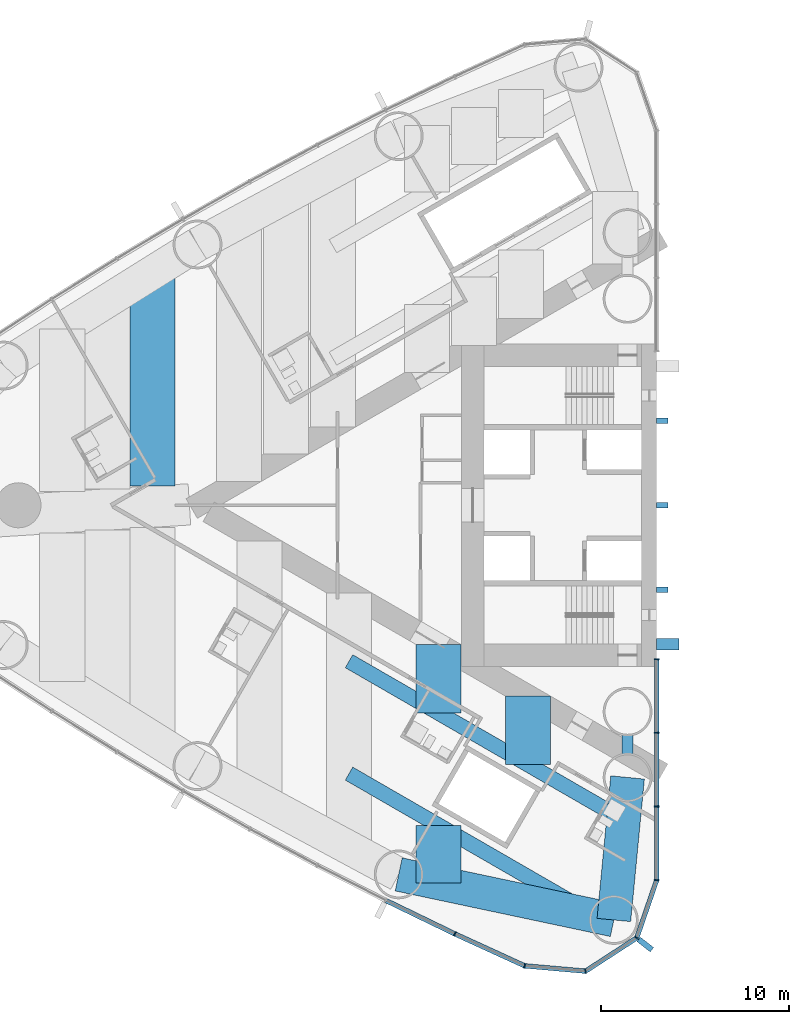
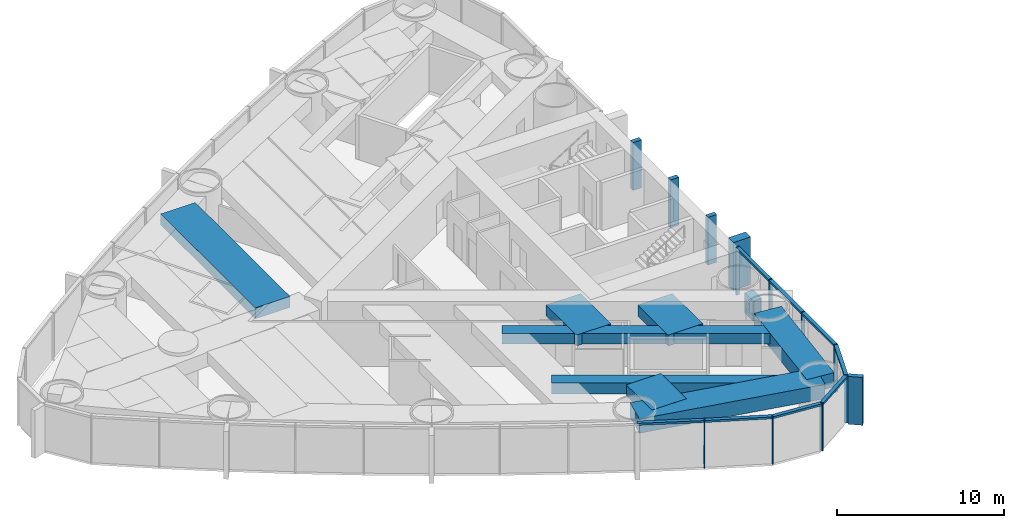
# One storey, part 3 of 18: 21 members, 9 beams, 1 element without a shape of its own.
"""IFC4 building model written with IfcOpenShell, lengths in metres."""

from ifc_helpers import new_model, si_unit, direction, frame, origin, origin_2d, place, context, subcontext, project, spatial, rectangle, hollow_rectangle, extrude, material, material_profile, profile_set, type_object, element, aggregate, save


model = new_model("IFC4")

# Units and contexts
model_context = context("Model", 3, precision=1e-05, world=origin(), true_north=direction((0.0, 1.0)))
body_context = subcontext(model_context, "Body", "Model", "MODEL_VIEW")
ifc_project = project(units=[si_unit("LENGTHUNIT", "METRE"), si_unit("AREAUNIT", "SQUARE_METRE"), si_unit("VOLUMEUNIT", "CUBIC_METRE"), si_unit("PLANEANGLEUNIT", "RADIAN"), si_unit("MASSUNIT", "GRAM", prefix="KILO")], contexts=[model_context])

# Site, building, storey
site_placement = place(None, origin())
site = spatial("IfcSite", under=ifc_project, at=site_placement, CompositionType="ELEMENT")
building_placement = place(site_placement, origin())
building = spatial("IfcBuilding", under=site, at=building_placement, Name="Lancet Gate Hotel", CompositionType="ELEMENT")
storey_placement = place(building_placement, frame((0.0, 0.0, 129.10009765625)))
storey = spatial("IfcBuildingStorey", under=building, at=storey_placement, Name="L34", CompositionType="ELEMENT", Elevation=129.10009765625)

# Curtain wall, members
ifc_material_1 = material(Name="Aluminium curtain wall", Category="aluminium")
curtain_wall_type = type_object("IfcCurtainWallType", Name="Tower unitised curtain wall", PredefinedType="USERDEFINED", material=ifc_material_1)
curtain_wall_placement = place(storey_placement, origin())
curtain_wall = element("IfcCurtainWall", 1, at=curtain_wall_placement, inside=storey, type_object=curtain_wall_type, Name="T1 L34 curtain wall 1", ObjectType="UNITISED CURTAIN WALL", PredefinedType="USERDEFINED")
ifc_material_2 = material(Name="Aluminium mullion", Category="aluminium")
ifc_material_profile_1 = material_profile(ifc_material_2, rectangle(XDim=0.06494140625, YDim=0.25, at=origin_2d()), Name="MULLION 65x250")
ifc_profile_set_1 = profile_set([ifc_material_profile_1], Name="Aluminium mullion")
member_type_1 = type_object("IfcMemberType", Name="Aluminium mullion 65x250", PredefinedType="MULLION", material=ifc_profile_set_1)
member_1_placement = place(storey_placement, frame((-38.25244140625, -22.83642578125, 0.0), z_axis=(0.0, 0.0, 1.0), x_axis=(0.904719609771, -0.426007544178, 0.0)))
member_1 = element("IfcMember", 2, at=member_1_placement, type_object=member_type_1, Name="T1 L34 curtain wall 1 mullion 29", PredefinedType="MULLION", context=body_context, shape_type="SweptSolid", body=[
    extrude(rectangle(XDim=0.06494140625, YDim=0.25, at=origin_2d()), origin(), (0.0, 0.0, 1.0), 3.5),
])
member_2_placement = place(storey_placement, frame((-34.5322265625, -24.53955078125, 0.0), z_axis=(0.0, 0.0, 1.0), x_axis=(0.961653318232, -0.27426792655, 0.0)))
member_2 = element("IfcMember", 3, at=member_2_placement, type_object=member_type_1, Name="T1 L34 curtain wall 1 mullion 30", PredefinedType="MULLION", context=body_context, shape_type="SweptSolid", body=[
    extrude(rectangle(XDim=0.06494140625, YDim=0.25, at=origin_2d()), origin(), (0.0, 0.0, 1.0), 3.5),
])
member_3_placement = place(storey_placement, frame((-31.289306640625, -24.822265625, 0.0), z_axis=(0.0, 0.0, 1.0), x_axis=(0.970242142288, 0.242136707934, 0.0)))
member_3 = element("IfcMember", 4, at=member_3_placement, type_object=member_type_1, Name="T1 L34 curtain wall 1 mullion 31", PredefinedType="MULLION", context=body_context, shape_type="SweptSolid", body=[
    extrude(rectangle(XDim=0.06494140625, YDim=0.25, at=origin_2d()), origin(), (0.0, 0.0, 1.0), 3.5),
])
member_4_placement = place(storey_placement, frame((-28.5595703125, -23.049072265625, 0.0), z_axis=(0.0, 0.0, 1.0), x_axis=(0.615574240878, 0.788078900851, 0.0)))
member_4 = element("IfcMember", 5, at=member_4_placement, type_object=member_type_1, Name="T1 L34 curtain wall 1 mullion 32", PredefinedType="MULLION", context=body_context, shape_type="SweptSolid", body=[
    extrude(rectangle(XDim=0.06494140625, YDim=0.25, at=origin_2d()), origin(), (0.0, 0.0, 1.0), 3.5),
])
member_5_placement = place(storey_placement, frame((-27.5, -19.97119140625, 0.0), z_axis=(0.0, 0.0, 1.0), x_axis=(0.149634446211, 0.988741388082, 0.0)))
member_5 = element("IfcMember", 6, at=member_5_placement, type_object=member_type_1, Name="T1 L34 curtain wall 1 mullion 33", PredefinedType="MULLION", context=body_context, shape_type="SweptSolid", body=[
    extrude(rectangle(XDim=0.06494140625, YDim=0.25, at=origin_2d()), origin(), (0.0, 0.0, 1.0), 3.5),
])
member_6_placement = place(storey_placement, frame((-27.5, -16.04736328125, 0.0), z_axis=(0.0, 0.0, 1.0), x_axis=(0.0, 1.0, 0.0)))
member_6 = element("IfcMember", 7, at=member_6_placement, type_object=member_type_1, Name="T1 L34 curtain wall 1 mullion 34", PredefinedType="MULLION", context=body_context, shape_type="SweptSolid", body=[
    extrude(rectangle(XDim=0.06494140625, YDim=0.25, at=origin_2d()), origin(), (0.0, 0.0, 1.0), 3.5),
])
member_7_placement = place(storey_placement, frame((-27.5, -12.123779296875, 0.0), z_axis=(0.0, 0.0, 1.0), x_axis=(0.0, 1.0, 0.0)))
member_7 = element("IfcMember", 8, at=member_7_placement, type_object=member_type_1, Name="T1 L34 curtain wall 1 mullion 35", PredefinedType="MULLION", context=body_context, shape_type="SweptSolid", body=[
    extrude(rectangle(XDim=0.06494140625, YDim=0.25, at=origin_2d()), origin(), (0.0, 0.0, 1.0), 3.5),
])
member_8_placement = place(storey_placement, frame((-27.5, -8.199951171875, 0.0), z_axis=(0.0, 0.0, 1.0), x_axis=(0.0, 1.0, 0.0)))
member_8 = element("IfcMember", 9, at=member_8_placement, type_object=member_type_1, Name="T1 L34 curtain wall 1 mullion 36", PredefinedType="MULLION", context=body_context, shape_type="SweptSolid", body=[
    extrude(rectangle(XDim=0.06494140625, YDim=0.25, at=origin_2d()), origin(), (0.0, 0.0, 1.0), 3.5),
])
ifc_material_3 = material(Name="Aluminium transom", Category="aluminium")
ifc_material_profile_2 = material_profile(ifc_material_3, rectangle(XDim=0.25, YDim=0.14990234375, at=origin_2d()), Name="TRANSOM 250x150")
ifc_profile_set_2 = profile_set([ifc_material_profile_2], Name="Aluminium transom")
member_type_2 = type_object("IfcMemberType", Name="Aluminium transom 250x150", PredefinedType="USERDEFINED", material=ifc_profile_set_2)
member_9_placement = place(storey_placement, frame((-41.906005859375, -21.067626953125, 3.4248046875), z_axis=(0.900065677074, -0.435754262117, 0.0), x_axis=(0.435754262117, 0.900065677074, 0.0)))
member_9 = element("IfcMember", 10, at=member_9_placement, type_object=member_type_2, Name="T1 L34 curtain wall 1 transom 28", ObjectType="TRANSOM", PredefinedType="USERDEFINED", context=body_context, shape_type="SweptSolid", body=[
    extrude(rectangle(XDim=0.25, YDim=0.14990234375, at=origin_2d()), origin(), (0.0, 0.0, 1.0), 4.026611328125),
])
member_10_placement = place(storey_placement, frame((-38.222900390625, -22.849853515625, 3.4248046875), z_axis=(0.909252284196, -0.416245460857, 0.0), x_axis=(0.416245460857, 0.909252284196, 0.0)))
member_10 = element("IfcMember", 11, at=member_10_placement, type_object=member_type_2, Name="T1 L34 curtain wall 1 transom 29", ObjectType="TRANSOM", PredefinedType="USERDEFINED", context=body_context, shape_type="SweptSolid", body=[
    extrude(rectangle(XDim=0.25, YDim=0.14990234375, at=origin_2d()), origin(), (0.0, 0.0, 1.0), 4.026611328125),
])
member_11_placement = place(storey_placement, frame((-34.499755859375, -24.542236328125, 3.4248046875), z_axis=(0.996213545522, -0.086940046686, 0.0), x_axis=(0.086940046686, 0.996213545522, 0.0)))
member_11 = element("IfcMember", 12, at=member_11_placement, type_object=member_type_2, Name="T1 L34 curtain wall 1 transom 30", ObjectType="TRANSOM", PredefinedType="USERDEFINED", context=body_context, shape_type="SweptSolid", body=[
    extrude(rectangle(XDim=0.25, YDim=0.14990234375, at=origin_2d()), origin(), (0.0, 0.0, 1.0), 3.18994140625),
])
member_12_placement = place(storey_placement, frame((-31.261962890625, -24.8046875, 3.4248046875), z_axis=(0.838550259452, 0.544824249068, 0.0), x_axis=(-0.544824249068, 0.838550259452, 0.0)))
member_12 = element("IfcMember", 13, at=member_12_placement, type_object=member_type_2, Name="T1 L34 curtain wall 1 transom 31", ObjectType="TRANSOM", PredefinedType="USERDEFINED", context=body_context, shape_type="SweptSolid", body=[
    extrude(rectangle(XDim=0.25, YDim=0.14990234375, at=origin_2d()), origin(), (0.0, 0.0, 1.0), 3.190185546875),
])
member_13_placement = place(storey_placement, frame((-28.549072265625, -23.018310546875, 3.4248046875), z_axis=(0.32553312754, 0.945530635609, 0.0), x_axis=(-0.945530635609, 0.32553312754, 0.0)))
member_13 = element("IfcMember", 14, at=member_13_placement, type_object=member_type_2, Name="T1 L34 curtain wall 1 transom 32", ObjectType="TRANSOM", PredefinedType="USERDEFINED", context=body_context, shape_type="SweptSolid", body=[
    extrude(rectangle(XDim=0.25, YDim=0.14990234375, at=origin_2d()), origin(), (0.0, 0.0, 1.0), 3.1904296875),
])
member_14_placement = place(storey_placement, frame((-27.5, -19.9384765625, 3.4248046875), z_axis=(0.0, 1.0, 0.0), x_axis=(-1.0, 0.0, 0.0)))
member_14 = element("IfcMember", 15, at=member_14_placement, type_object=member_type_2, Name="T1 L34 curtain wall 1 transom 33", ObjectType="TRANSOM", PredefinedType="USERDEFINED", context=body_context, shape_type="SweptSolid", body=[
    extrude(rectangle(XDim=0.25, YDim=0.14990234375, at=origin_2d()), origin(), (0.0, 0.0, 1.0), 3.858642578125),
])
member_15_placement = place(storey_placement, frame((-27.5, -16.014892578125, 3.4248046875), z_axis=(0.0, 1.0, 0.0), x_axis=(-1.0, 0.0, 0.0)))
member_15 = element("IfcMember", 16, at=member_15_placement, type_object=member_type_2, Name="T1 L34 curtain wall 1 transom 34", ObjectType="TRANSOM", PredefinedType="USERDEFINED", context=body_context, shape_type="SweptSolid", body=[
    extrude(rectangle(XDim=0.25, YDim=0.14990234375, at=origin_2d()), origin(), (0.0, 0.0, 1.0), 3.858642578125),
])
member_16_placement = place(storey_placement, frame((-27.5, -12.09130859375, 3.4248046875), z_axis=(0.0, 1.0, 0.0), x_axis=(-1.0, 0.0, 0.0)))
member_16 = element("IfcMember", 17, at=member_16_placement, type_object=member_type_2, Name="T1 L34 curtain wall 1 transom 35", ObjectType="TRANSOM", PredefinedType="USERDEFINED", context=body_context, shape_type="SweptSolid", body=[
    extrude(rectangle(XDim=0.25, YDim=0.14990234375, at=origin_2d()), origin(), (0.0, 0.0, 1.0), 3.85888671875),
])

# Beams
ifc_material_4 = material(Name="Concrete C50/60", Category="concrete")
ifc_material_profile_3 = material_profile(ifc_material_4, rectangle(XDim=1.800048828125, YDim=1.050048828125, at=origin_2d()), Name="RC 1800x1050")
ifc_profile_set_3 = profile_set([ifc_material_profile_3], Name="Concrete C50/60")
beam_type_1 = type_object("IfcBeamType", Name="Edge beam RC 1800x1050", PredefinedType="SPANDREL", material=ifc_profile_set_3)
beam_1_placement = place(storey_placement, frame((-41.244873046875, -19.665771484375, 2.724853515625), z_axis=(0.978282156247, -0.207277646573, 0.0), x_axis=(0.207277646573, 0.978282156247, 0.0)))
element("IfcBeam", 18, at=beam_1_placement, inside=storey, type_object=beam_type_1, Name="T1 edge beam EB1 L34", PredefinedType="SPANDREL", context=body_context, shape_type="SweptSolid", body=[
    extrude(rectangle(XDim=1.800048828125, YDim=1.050048828125, at=origin_2d()), origin(), (0.0, 0.0, 1.0), 11.71826171875),
])
beam_2_placement = place(storey_placement, frame((-29.050048828125, -14.5, 2.724853515625), z_axis=(-0.095802643786, -0.995400348324, 0.0), x_axis=(0.995400348324, -0.095802643786, 0.0)))
element("IfcBeam", 19, at=beam_2_placement, inside=storey, type_object=beam_type_1, Name="T1 edge beam EB1 L34", PredefinedType="SPANDREL", context=body_context, shape_type="SweptSolid", body=[
    extrude(rectangle(XDim=1.800048828125, YDim=1.050048828125, at=origin_2d()), origin(), (0.0, 0.0, 1.0), 7.6298828125),
])

# Member
ifc_material_5 = material(Name="Concrete C60/75", Category="concrete")
ifc_material_profile_4 = material_profile(ifc_material_5, rectangle(XDim=0.60009765625, YDim=1.199951171875, at=origin_2d()), Name="FIN 600x1200")
ifc_profile_set_4 = profile_set([ifc_material_profile_4], Name="Concrete C60/75")
member_type_3 = type_object("IfcMemberType", Name="Exposed concrete buttress pilaster 600x1200", PredefinedType="USERDEFINED", material=ifc_profile_set_4)
member_17_placement = place(storey_placement, frame((-26.909912109375, -7.39990234375, 0.0), z_axis=(0.0, 0.0, 1.0), x_axis=(0.0, 1.0, 0.0)))
element("IfcMember", 20, at=member_17_placement, inside=storey, type_object=member_type_3, Name="T1 buttress pilaster N L34", ObjectType="FIN", PredefinedType="USERDEFINED", context=body_context, shape_type="SweptSolid", body=[
    extrude(rectangle(XDim=0.60009765625, YDim=1.199951171875, at=origin_2d()), origin(), (0.0, 0.0, 1.0), 3.5),
])

ifc_material_6 = material(Name="Precast concrete C50/60", Category="concrete")
ifc_material_profile_5 = material_profile(ifc_material_6, rectangle(XDim=0.300048828125, YDim=0.89990234375, at=origin_2d()), Name="FIN 300x900")
ifc_profile_set_5 = profile_set([ifc_material_profile_5], Name="Precast concrete C50/60")
member_type_4 = type_object("IfcMemberType", Name="Exposed concrete fin 300x900", PredefinedType="USERDEFINED", material=ifc_profile_set_5)
member_18_placement = place(storey_placement, frame((-28.1064453125, -23.40283203125, 0.0), z_axis=(0.0, 0.0, 1.0), x_axis=(0.615574240878, 0.788078900851, 0.0)))
member_18 = element("IfcMember", 21, at=member_18_placement, type_object=member_type_4, Name="T1 L34 curtain wall 1 fin 32", ObjectType="FIN", PredefinedType="USERDEFINED", context=body_context, shape_type="SweptSolid", body=[
    extrude(rectangle(XDim=0.300048828125, YDim=0.89990234375, at=origin_2d()), origin(), (0.0, 0.0, 1.0), 3.5),
])

aggregate(curtain_wall, [member_1, member_2, member_3, member_4, member_18, member_5, member_6, member_7, member_8, member_9, member_10, member_11, member_12, member_13, member_14, member_15, member_16])

# Members
ifc_material_7 = material(Name="Concrete C60/75", Category="concrete")
ifc_material_profile_6 = material_profile(ifc_material_7, rectangle(XDim=0.300048828125, YDim=0.60009765625, at=origin_2d()), Name="FIN 300x600")
ifc_profile_set_6 = profile_set([ifc_material_profile_6], Name="Concrete C60/75")
member_type_5 = type_object("IfcMemberType", Name="Exposed concrete rib 300x600", PredefinedType="USERDEFINED", material=ifc_profile_set_6)
for number, where, z_axis, x_axis, name in (
    (22, (-27.2099609375, 4.5, 0.0), (0.0, 0.0, 1.0), (0.0, 1.0, 0.0), "T1 core rib 1 L34"),
    (23, (-27.2099609375, 0.0, 0.0), (0.0, 0.0, 1.0), (0.0, 1.0, 0.0), "T1 core rib 2 L34"),
    (24, (-27.2099609375, -4.5, 0.0), (0.0, 0.0, 1.0), (0.0, 1.0, 0.0), "T1 core rib 3 L34"),
):
    element("IfcMember", number, at=place(storey_placement, frame(where, z_axis=z_axis, x_axis=x_axis)), inside=storey, type_object=member_type_5, Name=name, ObjectType="FIN", PredefinedType="USERDEFINED", context=body_context, shape_type="SweptSolid", body=[
        extrude(rectangle(XDim=0.300048828125, YDim=0.60009765625, at=origin_2d()), origin(), (0.0, 0.0, 1.0), 3.5),
    ])

# Beams
ifc_material_8 = material(Name="Concrete C50/60", Category="concrete")
ifc_material_profile_7 = material_profile(ifc_material_8, rectangle(XDim=2.39990234375, YDim=0.800048828125, at=origin_2d()), Name="RC 2400x800")
ifc_profile_set_7 = profile_set([ifc_material_profile_7], Name="Concrete C50/60")
beam_type_2 = type_object("IfcBeamType", Name="Floor beam RC 2400x800", PredefinedType="BEAM", material=ifc_profile_set_7)
beam_3_placement = place(storey_placement, frame((-54.3681640625, 12.392333984375, 2.849853515625), z_axis=(0.0, -1.0, 0.0), x_axis=(1.0, 0.0, 0.0)))
element("IfcBeam", 25, at=beam_3_placement, inside=storey, type_object=beam_type_2, Name="T1 floor beam F13S L34", PredefinedType="BEAM", context=body_context, shape_type="SweptSolid", body=[
    extrude(rectangle(XDim=2.39990234375, YDim=0.800048828125, at=origin_2d()), origin(), (0.0, 0.0, 1.0), 11.364990234375),
])
beam_4_placement = place(storey_placement, frame((-34.353515625, -10.169921875, 2.849853515625), z_axis=(0.0, -1.0, 0.0), x_axis=(1.0, 0.0, 0.0)))
element("IfcBeam", 26, at=beam_4_placement, inside=storey, type_object=beam_type_2, Name="T1 floor beam F03NA L34", PredefinedType="BEAM", context=body_context, shape_type="SweptSolid", body=[
    extrude(rectangle(XDim=2.39990234375, YDim=0.800048828125, at=origin_2d()), origin(), (0.0, 0.0, 1.0), 3.645751953125),
])
beam_5_placement = place(storey_placement, frame((-39.122314453125, -7.41650390625, 2.849853515625), z_axis=(0.0, -1.0, 0.0), x_axis=(1.0, 0.0, 0.0)))
element("IfcBeam", 27, at=beam_5_placement, inside=storey, type_object=beam_type_2, Name="T1 floor beam F06NA L34", PredefinedType="BEAM", context=body_context, shape_type="SweptSolid", body=[
    extrude(rectangle(XDim=2.39990234375, YDim=0.800048828125, at=origin_2d()), origin(), (0.0, 0.0, 1.0), 3.64599609375),
])
beam_6_placement = place(storey_placement, frame((-39.122314453125, -17.0498046875, 2.849853515625), z_axis=(0.0, -1.0, 0.0), x_axis=(1.0, 0.0, 0.0)))
element("IfcBeam", 28, at=beam_6_placement, inside=storey, type_object=beam_type_2, Name="T1 floor beam F06NB L34", PredefinedType="BEAM", context=body_context, shape_type="SweptSolid", body=[
    extrude(rectangle(XDim=2.39990234375, YDim=0.800048828125, at=origin_2d()), origin(), (0.0, 0.0, 1.0), 3.065673828125),
])
ifc_material_9 = material(Name="Steel S460QL", Category="steel")
ifc_material_profile_8 = material_profile(ifc_material_9, hollow_rectangle(XDim=0.60009765625, YDim=1.5, WallThickness=0.050048828125, at=origin_2d()), Name="BOX 1500x600x50")
ifc_profile_set_8 = profile_set([ifc_material_profile_8], Name="Steel S460QL")
beam_type_3 = type_object("IfcBeamType", Name="Inner-face link beam BOX 1500x600x50", PredefinedType="BEAM", material=ifc_profile_set_8)
beam_7_placement = place(storey_placement, frame((-29.050048828125, -12.25, 2.5), z_axis=(0.0, -1.0, 0.0), x_axis=(1.0, 0.0, 0.0)))
element("IfcBeam", 29, at=beam_7_placement, inside=storey, type_object=beam_type_3, Name="T1 inner-face link beam LK1 L34", PredefinedType="BEAM", context=body_context, shape_type="SweptSolid", body=[
    extrude(hollow_rectangle(XDim=0.60009765625, YDim=1.5, WallThickness=0.050048828125, at=origin_2d()), origin(), (0.0, 0.0, 1.0), 1.0),
])
ifc_material_10 = material(Name="Steel S460QL", Category="steel")
ifc_material_profile_9 = material_profile(ifc_material_10, hollow_rectangle(XDim=0.800048828125, YDim=0.800048828125, WallThickness=0.080078125, at=origin_2d()), Name="BOX 800x800x80")
ifc_profile_set_9 = profile_set([ifc_material_profile_9], Name="Steel S460QL")
beam_type_4 = type_object("IfcBeamType", Name="Trimmer beam BOX 800x800x80", PredefinedType="BEAM", material=ifc_profile_set_9)
beam_8_placement = place(storey_placement, frame((-29.58447265625, -16.56884765625, 2.849853515625), z_axis=(-0.866040141834, 0.49997447208, 0.0), x_axis=(-0.49997447208, -0.866040141834, 0.0)))
element("IfcBeam", 30, at=beam_8_placement, inside=storey, type_object=beam_type_4, Name="T1 trimmer beam TR01N L34", PredefinedType="BEAM", context=body_context, shape_type="SweptSolid", body=[
    extrude(hollow_rectangle(XDim=0.800048828125, YDim=0.800048828125, WallThickness=0.080078125, at=origin_2d()), origin(), (0.0, 0.0, 1.0), 16.519775390625),
])
beam_9_placement = place(storey_placement, frame((-30.982421875, -21.7490234375, 2.849853515625), z_axis=(-0.866042392862, 0.4999705729, 0.0), x_axis=(-0.4999705729, -0.866042392862, 0.0)))
element("IfcBeam", 31, at=beam_9_placement, inside=storey, type_object=beam_type_4, Name="T1 trimmer beam TR03N L34", PredefinedType="BEAM", context=body_context, shape_type="SweptSolid", body=[
    extrude(hollow_rectangle(XDim=0.800048828125, YDim=0.800048828125, WallThickness=0.080078125, at=origin_2d()), origin(), (0.0, 0.0, 1.0), 14.90576171875),
])

save(model, "model.ifc")
